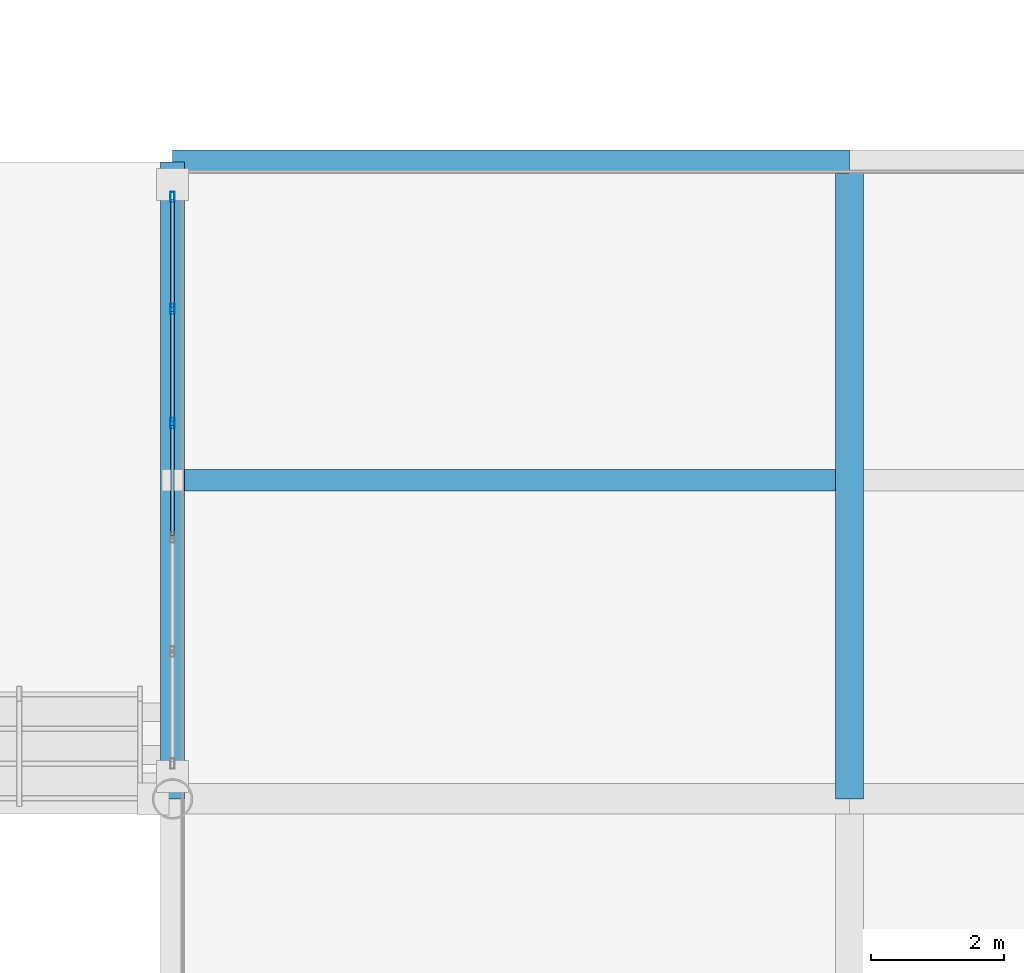
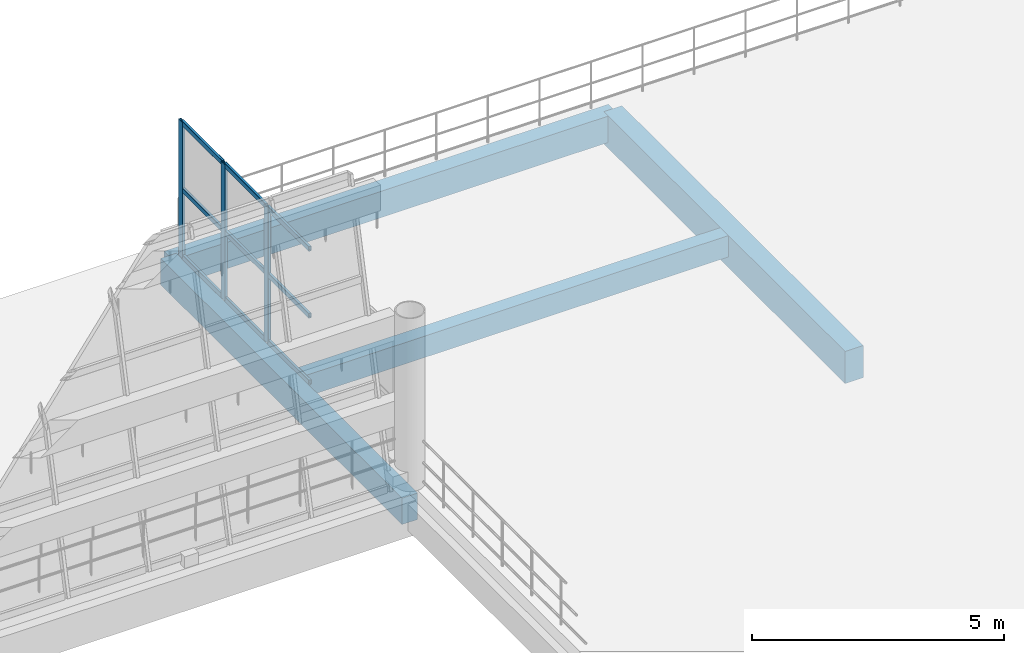
# One storey, part 82 of 157: 12 members, 4 beams, 1 element without a shape of its own.
"""IFC4 building model written with IfcOpenShell, lengths in metres."""

from ifc_helpers import new_model, si_unit, direction, frame, origin, origin_2d, place, context, subcontext, project, spatial, rectangle, hollow_rectangle, extrude, material, material_profile, profile_set, type_object, element, aggregate, save


model = new_model("IFC4")

# Units and contexts
model_context = context("Model", 3, precision=1e-05, world=origin(), true_north=direction((0.0, 1.0)))
body_context = subcontext(model_context, "Body", "Model", "MODEL_VIEW")
ifc_project = project(units=[si_unit("LENGTHUNIT", "METRE"), si_unit("AREAUNIT", "SQUARE_METRE"), si_unit("VOLUMEUNIT", "CUBIC_METRE"), si_unit("PLANEANGLEUNIT", "RADIAN"), si_unit("MASSUNIT", "GRAM", prefix="KILO")], contexts=[model_context])

# Site, building, storey
site_placement = place(None, origin())
site = spatial("IfcSite", under=ifc_project, at=site_placement, CompositionType="ELEMENT")
building_placement = place(site_placement, origin())
building = spatial("IfcBuilding", under=site, at=building_placement, Name="Brelvane Convention Centre", CompositionType="ELEMENT")
storey_placement = place(building_placement, frame((0.0, 0.0, 10.800048828125)))
storey = spatial("IfcBuildingStorey", under=building, at=storey_placement, Name="L02", CompositionType="ELEMENT", Elevation=10.800048828125)

# Curtain wall, members
ifc_material_1 = material(Name="Anodised Aluminium Alloy 6063-T6", Category="aluminium")
curtain_wall_type = type_object("IfcCurtainWallType", Name="Curtain Wall CW-PAV", PredefinedType="USERDEFINED", material=ifc_material_1)
curtain_wall_placement = place(storey_placement, origin())
curtain_wall = element("IfcCurtainWall", 1, at=curtain_wall_placement, inside=storey, type_object=curtain_wall_type, Name="Curtain Wall CW-PAV L02-COURT-E-CW-L02", ObjectType="UNITISED", PredefinedType="USERDEFINED")
ifc_material_2 = material(Name="Anodised Aluminium Alloy 6063-T6", Category="aluminium")
ifc_material_profile_1 = material_profile(ifc_material_2, hollow_rectangle(XDim=0.06494140625, YDim=0.159912109375, WallThickness=0.00390625, InnerFilletRadius=0.00390625, OuterFilletRadius=0.008056640625, at=origin_2d()), Name="ALU-M 160x65x4.0")
ifc_profile_set_1 = profile_set([ifc_material_profile_1], Name="Anodised Aluminium Alloy 6063-T6")
member_type_1 = type_object("IfcMemberType", Name="Curtain Mullion CW-M3", PredefinedType="MULLION", material=ifc_profile_set_1)
member_1_placement = place(storey_placement, frame((142.800048828125, 105.260009765625, 0.0), z_axis=(0.0, 0.0, 1.0), x_axis=(-1.0, 0.0, 0.0)))
member_1 = element("IfcMember", 2, at=member_1_placement, type_object=member_type_1, Name="CW-PAV mullion 4", PredefinedType="MULLION", context=body_context, shape_type="SweptSolid", body=[
    extrude(hollow_rectangle(XDim=0.06494140625, YDim=0.159912109375, WallThickness=0.00390625, InnerFilletRadius=0.00390625, OuterFilletRadius=0.008056640625, at=origin_2d()), origin(), (0.0, 0.0, 1.0), 3.300048828125),
])
member_2_placement = place(storey_placement, frame((142.800048828125, 106.97998046875, 0.0), z_axis=(0.0, 0.0, 1.0), x_axis=(-1.0, 0.0, 0.0)))
member_2 = element("IfcMember", 3, at=member_2_placement, type_object=member_type_1, Name="CW-PAV mullion 5", PredefinedType="MULLION", context=body_context, shape_type="SweptSolid", body=[
    extrude(hollow_rectangle(XDim=0.06494140625, YDim=0.159912109375, WallThickness=0.00390625, InnerFilletRadius=0.00390625, OuterFilletRadius=0.008056640625, at=origin_2d()), origin(), (0.0, 0.0, 1.0), 3.300048828125),
])
member_3_placement = place(storey_placement, frame((142.800048828125, 108.66748046875, 0.0), z_axis=(0.0, 0.0, 1.0), x_axis=(-1.0, 0.0, 0.0)))
member_3 = element("IfcMember", 4, at=member_3_placement, type_object=member_type_1, Name="CW-PAV mullion 6", PredefinedType="MULLION", context=body_context, shape_type="SweptSolid", body=[
    extrude(hollow_rectangle(XDim=0.06494140625, YDim=0.159912109375, WallThickness=0.00390625, InnerFilletRadius=0.00390625, OuterFilletRadius=0.008056640625, at=origin_2d()), origin(), (0.0, 0.0, 1.0), 3.300048828125),
])
ifc_material_3 = material(Name="Anodised Aluminium Alloy 6063-T6", Category="aluminium")
ifc_material_profile_2 = material_profile(ifc_material_3, hollow_rectangle(XDim=0.06005859375, YDim=0.1201171875, WallThickness=0.00390625, InnerFilletRadius=0.00390625, OuterFilletRadius=0.008056640625, at=origin_2d()), Name="ALU-T 120x60x4.0")
ifc_profile_set_2 = profile_set([ifc_material_profile_2], Name="Anodised Aluminium Alloy 6063-T6")
member_type_2 = type_object("IfcMemberType", Name="Curtain Transom CW-T3", PredefinedType="USERDEFINED", material=ifc_profile_set_2)
member_4_placement = place(storey_placement, frame((142.800048828125, 103.572509765625, 0.030029296875), z_axis=(0.0, 1.0, 0.0), x_axis=(-1.0, 0.0, 0.0)))
member_4 = element("IfcMember", 5, at=member_4_placement, type_object=member_type_2, Name="CW-PAV transom 3.1", ObjectType="TRANSOM", PredefinedType="USERDEFINED", context=body_context, shape_type="SweptSolid", body=[
    extrude(hollow_rectangle(XDim=0.06005859375, YDim=0.1201171875, WallThickness=0.00390625, InnerFilletRadius=0.00390625, OuterFilletRadius=0.008056640625, at=origin_2d()), origin(), (0.0, 0.0, 1.0), 1.655029296875),
])
member_5_placement = place(storey_placement, frame((142.800048828125, 103.572509765625, 1.64990234375), z_axis=(0.0, 1.0, 0.0), x_axis=(-1.0, 0.0, 0.0)))
member_5 = element("IfcMember", 6, at=member_5_placement, type_object=member_type_2, Name="CW-PAV transom 3.2", ObjectType="TRANSOM", PredefinedType="USERDEFINED", context=body_context, shape_type="SweptSolid", body=[
    extrude(hollow_rectangle(XDim=0.06005859375, YDim=0.1201171875, WallThickness=0.00390625, InnerFilletRadius=0.00390625, OuterFilletRadius=0.008056640625, at=origin_2d()), origin(), (0.0, 0.0, 1.0), 1.655029296875),
])
member_6_placement = place(storey_placement, frame((142.800048828125, 103.572509765625, 3.27001953125), z_axis=(0.0, 1.0, 0.0), x_axis=(-1.0, 0.0, 0.0)))
member_6 = element("IfcMember", 7, at=member_6_placement, type_object=member_type_2, Name="CW-PAV transom 3.3", ObjectType="TRANSOM", PredefinedType="USERDEFINED", context=body_context, shape_type="SweptSolid", body=[
    extrude(hollow_rectangle(XDim=0.06005859375, YDim=0.1201171875, WallThickness=0.00390625, InnerFilletRadius=0.00390625, OuterFilletRadius=0.008056640625, at=origin_2d()), origin(), (0.0, 0.0, 1.0), 1.655029296875),
])
member_7_placement = place(storey_placement, frame((142.800048828125, 105.29248046875, 0.030029296875), z_axis=(0.0, 1.0, 0.0), x_axis=(-1.0, 0.0, 0.0)))
member_7 = element("IfcMember", 8, at=member_7_placement, type_object=member_type_2, Name="CW-PAV transom 4.1", ObjectType="TRANSOM", PredefinedType="USERDEFINED", context=body_context, shape_type="SweptSolid", body=[
    extrude(hollow_rectangle(XDim=0.06005859375, YDim=0.1201171875, WallThickness=0.00390625, InnerFilletRadius=0.00390625, OuterFilletRadius=0.008056640625, at=origin_2d()), origin(), (0.0, 0.0, 1.0), 1.655029296875),
])
member_8_placement = place(storey_placement, frame((142.800048828125, 105.29248046875, 1.64990234375), z_axis=(0.0, 1.0, 0.0), x_axis=(-1.0, 0.0, 0.0)))
member_8 = element("IfcMember", 9, at=member_8_placement, type_object=member_type_2, Name="CW-PAV transom 4.2", ObjectType="TRANSOM", PredefinedType="USERDEFINED", context=body_context, shape_type="SweptSolid", body=[
    extrude(hollow_rectangle(XDim=0.06005859375, YDim=0.1201171875, WallThickness=0.00390625, InnerFilletRadius=0.00390625, OuterFilletRadius=0.008056640625, at=origin_2d()), origin(), (0.0, 0.0, 1.0), 1.655029296875),
])
member_9_placement = place(storey_placement, frame((142.800048828125, 105.29248046875, 3.27001953125), z_axis=(0.0, 1.0, 0.0), x_axis=(-1.0, 0.0, 0.0)))
member_9 = element("IfcMember", 10, at=member_9_placement, type_object=member_type_2, Name="CW-PAV transom 4.3", ObjectType="TRANSOM", PredefinedType="USERDEFINED", context=body_context, shape_type="SweptSolid", body=[
    extrude(hollow_rectangle(XDim=0.06005859375, YDim=0.1201171875, WallThickness=0.00390625, InnerFilletRadius=0.00390625, OuterFilletRadius=0.008056640625, at=origin_2d()), origin(), (0.0, 0.0, 1.0), 1.655029296875),
])
member_10_placement = place(storey_placement, frame((142.800048828125, 107.012451171875, 0.030029296875), z_axis=(0.0, 1.0, 0.0), x_axis=(-1.0, 0.0, 0.0)))
member_10 = element("IfcMember", 11, at=member_10_placement, type_object=member_type_2, Name="CW-PAV transom 5.1", ObjectType="TRANSOM", PredefinedType="USERDEFINED", context=body_context, shape_type="SweptSolid", body=[
    extrude(hollow_rectangle(XDim=0.06005859375, YDim=0.1201171875, WallThickness=0.00390625, InnerFilletRadius=0.00390625, OuterFilletRadius=0.008056640625, at=origin_2d()), origin(), (0.0, 0.0, 1.0), 1.62255859375),
])
member_11_placement = place(storey_placement, frame((142.800048828125, 107.012451171875, 1.64990234375), z_axis=(0.0, 1.0, 0.0), x_axis=(-1.0, 0.0, 0.0)))
member_11 = element("IfcMember", 12, at=member_11_placement, type_object=member_type_2, Name="CW-PAV transom 5.2", ObjectType="TRANSOM", PredefinedType="USERDEFINED", context=body_context, shape_type="SweptSolid", body=[
    extrude(hollow_rectangle(XDim=0.06005859375, YDim=0.1201171875, WallThickness=0.00390625, InnerFilletRadius=0.00390625, OuterFilletRadius=0.008056640625, at=origin_2d()), origin(), (0.0, 0.0, 1.0), 1.62255859375),
])
member_12_placement = place(storey_placement, frame((142.800048828125, 107.012451171875, 3.27001953125), z_axis=(0.0, 1.0, 0.0), x_axis=(-1.0, 0.0, 0.0)))
member_12 = element("IfcMember", 13, at=member_12_placement, type_object=member_type_2, Name="CW-PAV transom 5.3", ObjectType="TRANSOM", PredefinedType="USERDEFINED", context=body_context, shape_type="SweptSolid", body=[
    extrude(hollow_rectangle(XDim=0.06005859375, YDim=0.1201171875, WallThickness=0.00390625, InnerFilletRadius=0.00390625, OuterFilletRadius=0.008056640625, at=origin_2d()), origin(), (0.0, 0.0, 1.0), 1.62255859375),
])
aggregate(curtain_wall, [member_1, member_2, member_3, member_4, member_5, member_6, member_7, member_8, member_9, member_10, member_11, member_12])

# Beams
ifc_material_4 = material(Name="Concrete M40", Category="concrete")
ifc_material_profile_3 = material_profile(ifc_material_4, rectangle(XDim=0.419921875, YDim=0.780029296875, at=origin_2d()), Name="RC 420x780")
ifc_profile_set_3 = profile_set([ifc_material_profile_3], Name="Concrete M40")
beam_type_1 = type_object("IfcBeamType", Name="RC Beam B-RC12 (RC 420x780)", PredefinedType="BEAM", material=ifc_profile_set_3)
beam_1_placement = place(storey_placement, frame((153.0, 99.60009765625, -0.699951171875), z_axis=(0.0, 1.0, 0.0), x_axis=(-1.0, 0.0, 0.0)))
element("IfcBeam", 14, at=beam_1_placement, inside=storey, type_object=beam_type_1, Name="L02 Girder 16/K-L", PredefinedType="BEAM", context=body_context, shape_type="SweptSolid", body=[
    extrude(rectangle(XDim=0.419921875, YDim=0.780029296875, at=origin_2d()), origin(), (0.0, 0.0, 1.0), 9.599853515625),
])
ifc_material_5 = material(Name="Concrete M40", Category="concrete")
ifc_material_profile_4 = material_profile(ifc_material_5, rectangle(XDim=0.320068359375, YDim=0.52001953125, at=origin_2d()), Name="RC 320x520")
ifc_profile_set_4 = profile_set([ifc_material_profile_4], Name="Concrete M40")
beam_type_2 = type_object("IfcBeamType", Name="RC Joist J-RC4 (RC 320x520)", PredefinedType="JOIST", material=ifc_profile_set_4)
beam_2_placement = place(storey_placement, frame((142.97998046875, 104.39990234375, -0.570068359375), z_axis=(1.0, 0.0, 0.0), x_axis=(0.0, 1.0, 0.0)))
element("IfcBeam", 15, at=beam_2_placement, inside=storey, type_object=beam_type_2, Name="L02 Secondary Joist 15-16/KL", PredefinedType="JOIST", context=body_context, shape_type="SweptSolid", body=[
    extrude(rectangle(XDim=0.320068359375, YDim=0.52001953125, at=origin_2d()), origin(), (0.0, 0.0, 1.0), 9.81005859375),
])
ifc_material_6 = material(Name="Concrete M40", Category="concrete")
ifc_material_profile_5 = material_profile(ifc_material_6, rectangle(XDim=0.360107421875, YDim=0.639892578125, at=origin_2d()), Name="RC 360x640")
ifc_profile_set_5 = profile_set([ifc_material_profile_5], Name="Concrete M40")
beam_type_3 = type_object("IfcBeamType", Name="RC Spandrel SP-RC3 (RC 360x640)", PredefinedType="SPANDREL", material=ifc_profile_set_5)
beam_3_placement = place(storey_placement, frame((142.800048828125, 109.199951171875, -0.630126953125), z_axis=(1.0, 0.0, 0.0), x_axis=(0.0, 1.0, 0.0)))
element("IfcBeam", 16, at=beam_3_placement, inside=storey, type_object=beam_type_3, Name="L02 Beam 15-16/L", PredefinedType="SPANDREL", context=body_context, shape_type="SweptSolid", body=[
    extrude(rectangle(XDim=0.360107421875, YDim=0.639892578125, at=origin_2d()), origin(), (0.0, 0.0, 1.0), 10.199951171875),
])
beam_4_placement = place(storey_placement, frame((142.800048828125, 99.60009765625, -0.630126953125), z_axis=(0.0, 1.0, 0.0), x_axis=(-1.0, 0.0, 0.0)))
element("IfcBeam", 17, at=beam_4_placement, inside=storey, type_object=beam_type_3, Name="L02 Girder 15/K-L", PredefinedType="SPANDREL", context=body_context, shape_type="SweptSolid", body=[
    extrude(rectangle(XDim=0.360107421875, YDim=0.639892578125, at=origin_2d()), origin(), (0.0, 0.0, 1.0), 9.599853515625),
])

save(model, "model.ifc")
